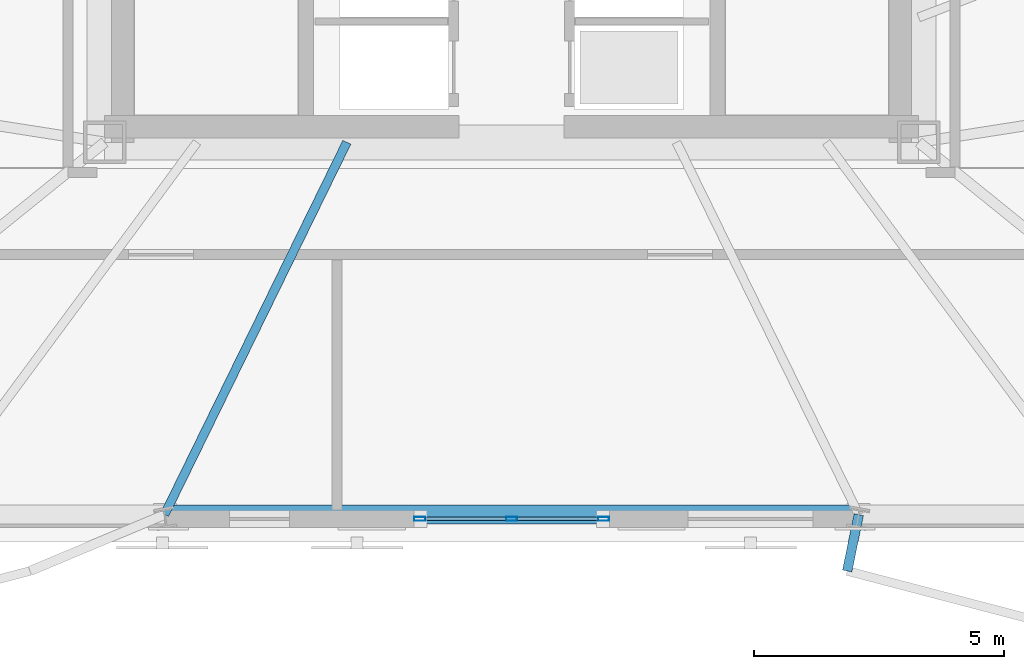
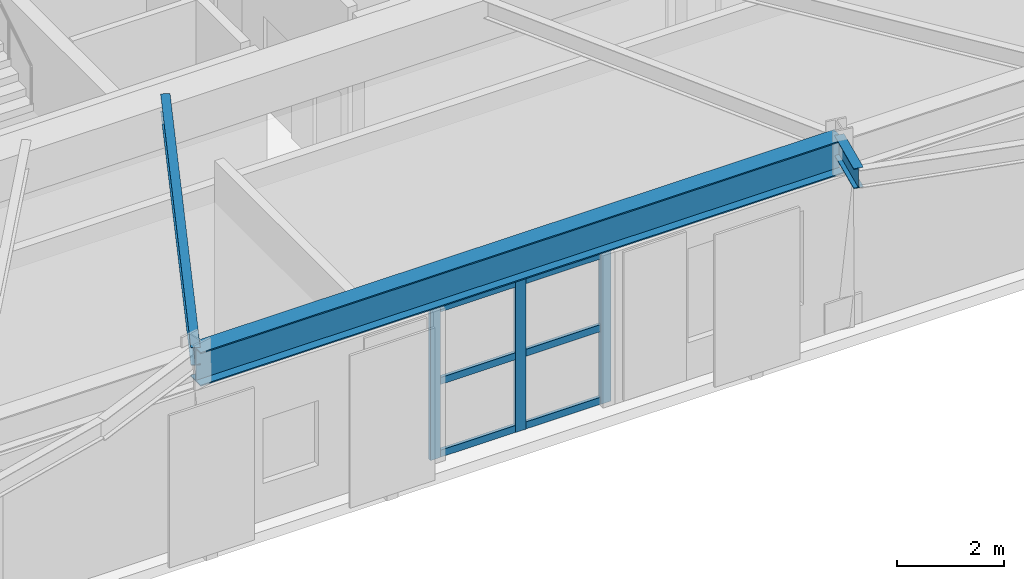
# One storey, part 2 of 14: 9 members, 3 beams, 1 element without a shape of its own.
"""IFC4 building model written with IfcOpenShell, lengths in metres."""

from ifc_helpers import new_model, si_unit, direction, frame, origin, origin_2d, place, context, subcontext, project, spatial, hollow_rectangle, i_section, extrude, material, layer, layer_set, material_profile, profile_set, type_object, element, aggregate, save


model = new_model("IFC4")

# Units and contexts
model_context = context("Model", 3, precision=1e-05, world=origin(), true_north=direction((0.0, 1.0)))
body_context = subcontext(model_context, "Body", "Model", "MODEL_VIEW")
ifc_project = project(units=[si_unit("LENGTHUNIT", "METRE"), si_unit("AREAUNIT", "SQUARE_METRE"), si_unit("VOLUMEUNIT", "CUBIC_METRE"), si_unit("PLANEANGLEUNIT", "RADIAN"), si_unit("MASSUNIT", "GRAM", prefix="KILO")], contexts=[model_context])

# Site, building, storey
site_placement = place(None, origin())
site = spatial("IfcSite", under=ifc_project, at=site_placement, CompositionType="ELEMENT")
building_placement = place(site_placement, origin())
building = spatial("IfcBuilding", under=site, at=building_placement, Name="Oramaril Tower", CompositionType="ELEMENT")
storey_placement = place(building_placement, frame((0.0, 0.0, 107.699951171875)))
storey = spatial("IfcBuildingStorey", under=building, at=storey_placement, Name="L28", CompositionType="ELEMENT", Elevation=107.699951171875)

# Beams
ifc_material_1 = material(Name="Steel ASTM A572 Gr 50", Category="steel")
ifc_material_profile_1 = material_profile(ifc_material_1, i_section(OverallWidth=0.19091796875, OverallDepth=0.45703125, WebThickness=0.009033203125, FlangeThickness=0.014404296875, at=origin_2d()), Name="W18X50")
ifc_profile_set_1 = profile_set([ifc_material_profile_1], Name="Steel ASTM A572 Gr 50")
beam_type_1 = type_object("IfcBeamType", Name="BT-BB1", PredefinedType="BEAM", material=ifc_profile_set_1)
beam_1_placement = place(storey_placement, frame((44.449951171875, 3.544677734375, 4.031494140625), z_axis=(-0.200803271191, -0.979631587016, 0.0), x_axis=(0.979631587016, -0.200803271191, 0.0)))
element("IfcBeam", 1, at=beam_1_placement, inside=storey, type_object=beam_type_1, Name="L28 Balcony Column-Framed Cantilever 02.1", PredefinedType="BEAM", context=body_context, shape_type="SweptSolid", body=[
    extrude(i_section(OverallWidth=0.19091796875, OverallDepth=0.45703125, WebThickness=0.009033203125, FlangeThickness=0.014404296875, at=origin_2d()), origin(), (0.0, 0.0, 1.0), 1.1513671875),
])
ifc_material_2 = material(Name="Steel ASTM A572 Gr 50", Category="steel")
ifc_material_profile_2 = material_profile(ifc_material_2, i_section(OverallWidth=0.177978515625, OverallDepth=0.404052734375, WebThickness=0.007568359375, FlangeThickness=0.010986328125, at=origin_2d()), Name="W16X36")
ifc_profile_set_2 = profile_set([ifc_material_profile_2], Name="Steel ASTM A572 Gr 50")
beam_type_2 = type_object("IfcBeamType", Name="BT-SB1", PredefinedType="BEAM", material=ifc_profile_set_2)
beam_2_placement = place(storey_placement, frame((34.199951171875, 11.0, 4.05810546875), z_axis=(-0.439703815255, -0.898142836552, 0.0), x_axis=(0.898142836552, -0.439703815255, 0.0)))
element("IfcBeam", 2, at=beam_2_placement, inside=storey, type_object=beam_type_2, Name="L28 Secondary Floor Beam SB-02", PredefinedType="BEAM", context=body_context, shape_type="SweptSolid", body=[
    extrude(i_section(OverallWidth=0.177978515625, OverallDepth=0.404052734375, WebThickness=0.007568359375, FlangeThickness=0.010986328125, at=origin_2d()), origin(), (0.0, 0.0, 1.0), 8.30078125),
])
ifc_material_3 = material(Name="Steel ASTM A572 Gr 50", Category="steel")
ifc_material_profile_3 = material_profile(ifc_material_3, i_section(OverallWidth=0.381103515625, OverallDepth=0.77197265625, WebThickness=0.0166015625, FlangeThickness=0.027099609375, at=origin_2d()), Name="W30X173")
ifc_profile_set_3 = profile_set([ifc_material_profile_3], Name="Steel ASTM A572 Gr 50")
beam_type_3 = type_object("IfcBeamType", Name="BT-SP2", PredefinedType="SPANDREL", material=ifc_profile_set_3)
beam_3_placement = place(storey_placement, frame((30.550048828125, 3.544677734375, 3.8740234375), z_axis=(1.0, 0.0, 0.0), x_axis=(0.0, 1.0, 0.0)))
element("IfcBeam", 3, at=beam_3_placement, inside=storey, type_object=beam_type_3, Name="L28 Perimeter Spandrel 04", PredefinedType="SPANDREL", context=body_context, shape_type="SweptSolid", body=[
    extrude(i_section(OverallWidth=0.381103515625, OverallDepth=0.77197265625, WebThickness=0.0166015625, FlangeThickness=0.027099609375, at=origin_2d()), origin(), (0.0, 0.0, 1.0), 13.89990234375),
])

# Curtain wall, members
ifc_material_4 = material(Name="Anodised Aluminium 6063-T6", Category="aluminium")
ifc_layer = layer(ifc_material_4, 0.219970703125)
ifc_layer_set = layer_set([ifc_layer], Name="CWT-SYS5")
curtain_wall_type = type_object("IfcCurtainWallType", Name="CWT-SYS5", PredefinedType="NOTDEFINED", material=ifc_layer_set)
curtain_wall_placement = place(storey_placement, origin())
curtain_wall = element("IfcCurtainWall", 4, at=curtain_wall_placement, inside=storey, type_object=curtain_wall_type, Name="L28 Unitised Curtain Wall CW-5", PredefinedType="NOTDEFINED")
ifc_material_5 = material(Name="Anodised Aluminium 6063-T6", Category="aluminium")
ifc_material_profile_4 = material_profile(ifc_material_5, hollow_rectangle(XDim=0.080078125, YDim=0.219970703125, WallThickness=0.00390625, at=origin_2d()), Name="CWM220X80")
ifc_profile_set_4 = profile_set([ifc_material_profile_4], Name="Anodised Aluminium 6063-T6")
member_type_1 = type_object("IfcMemberType", Name="MT-CWM1", PredefinedType="MULLION", material=ifc_profile_set_4)
member_1_placement = place(storey_placement, frame((35.659912109375, 3.45947265625, 0.0), z_axis=(0.0, 0.0, 1.0), x_axis=(0.0, 1.0, 0.0)))
member_1 = element("IfcMember", 5, at=member_1_placement, type_object=member_type_1, Name="CW-5 mullion 1", PredefinedType="MULLION", context=body_context, shape_type="SweptSolid", body=[
    extrude(hollow_rectangle(XDim=0.080078125, YDim=0.219970703125, WallThickness=0.00390625, at=origin_2d()), origin(), (0.0, 0.0, 1.0), 3.47802734375),
])
member_2_placement = place(storey_placement, frame((37.5, 3.45947265625, 0.0), z_axis=(0.0, 0.0, 1.0), x_axis=(0.0, 1.0, 0.0)))
member_2 = element("IfcMember", 6, at=member_2_placement, type_object=member_type_1, Name="CW-5 mullion 2", PredefinedType="MULLION", context=body_context, shape_type="SweptSolid", body=[
    extrude(hollow_rectangle(XDim=0.080078125, YDim=0.219970703125, WallThickness=0.00390625, at=origin_2d()), origin(), (0.0, 0.0, 1.0), 3.47802734375),
])
member_3_placement = place(storey_placement, frame((39.340087890625, 3.45947265625, 0.0), z_axis=(0.0, 0.0, 1.0), x_axis=(0.0, 1.0, 0.0)))
member_3 = element("IfcMember", 7, at=member_3_placement, type_object=member_type_1, Name="CW-5 mullion 3", PredefinedType="MULLION", context=body_context, shape_type="SweptSolid", body=[
    extrude(hollow_rectangle(XDim=0.080078125, YDim=0.219970703125, WallThickness=0.00390625, at=origin_2d()), origin(), (0.0, 0.0, 1.0), 3.47802734375),
])
ifc_material_6 = material(Name="Anodised Aluminium 6063-T6", Category="aluminium")
ifc_material_profile_5 = material_profile(ifc_material_6, hollow_rectangle(XDim=0.070068359375, YDim=0.159912109375, WallThickness=0.00390625, at=origin_2d()), Name="CWT160X70")
ifc_profile_set_5 = profile_set([ifc_material_profile_5], Name="Anodised Aluminium 6063-T6")
member_type_2 = type_object("IfcMemberType", Name="MT-CWT1", PredefinedType="USERDEFINED", material=ifc_profile_set_5)
member_4_placement = place(storey_placement, frame((35.77001953125, 3.45947265625, 0.080078125), z_axis=(1.0, 0.0, 0.0), x_axis=(0.0, 1.0, 0.0)))
member_4 = element("IfcMember", 8, at=member_4_placement, type_object=member_type_2, Name="CW-5 transom 1.1", ObjectType="TRANSOM", PredefinedType="USERDEFINED", context=body_context, shape_type="SweptSolid", body=[
    extrude(hollow_rectangle(XDim=0.070068359375, YDim=0.159912109375, WallThickness=0.00390625, at=origin_2d()), origin(), (0.0, 0.0, 1.0), 1.619873046875),
])
member_5_placement = place(storey_placement, frame((35.77001953125, 3.45947265625, 1.739013671875), z_axis=(1.0, 0.0, 0.0), x_axis=(0.0, 1.0, 0.0)))
member_5 = element("IfcMember", 9, at=member_5_placement, type_object=member_type_2, Name="CW-5 transom 1.2", ObjectType="TRANSOM", PredefinedType="USERDEFINED", context=body_context, shape_type="SweptSolid", body=[
    extrude(hollow_rectangle(XDim=0.070068359375, YDim=0.159912109375, WallThickness=0.00390625, at=origin_2d()), origin(), (0.0, 0.0, 1.0), 1.619873046875),
])
member_6_placement = place(storey_placement, frame((35.77001953125, 3.45947265625, 3.39794921875), z_axis=(1.0, 0.0, 0.0), x_axis=(0.0, 1.0, 0.0)))
member_6 = element("IfcMember", 10, at=member_6_placement, type_object=member_type_2, Name="CW-5 transom 1.3", ObjectType="TRANSOM", PredefinedType="USERDEFINED", context=body_context, shape_type="SweptSolid", body=[
    extrude(hollow_rectangle(XDim=0.070068359375, YDim=0.159912109375, WallThickness=0.00390625, at=origin_2d()), origin(), (0.0, 0.0, 1.0), 1.619873046875),
])
member_7_placement = place(storey_placement, frame((37.610107421875, 3.45947265625, 0.080078125), z_axis=(1.0, 0.0, 0.0), x_axis=(0.0, 1.0, 0.0)))
member_7 = element("IfcMember", 11, at=member_7_placement, type_object=member_type_2, Name="CW-5 transom 2.1", ObjectType="TRANSOM", PredefinedType="USERDEFINED", context=body_context, shape_type="SweptSolid", body=[
    extrude(hollow_rectangle(XDim=0.070068359375, YDim=0.159912109375, WallThickness=0.00390625, at=origin_2d()), origin(), (0.0, 0.0, 1.0), 1.619873046875),
])
member_8_placement = place(storey_placement, frame((37.610107421875, 3.45947265625, 1.739013671875), z_axis=(1.0, 0.0, 0.0), x_axis=(0.0, 1.0, 0.0)))
member_8 = element("IfcMember", 12, at=member_8_placement, type_object=member_type_2, Name="CW-5 transom 2.2", ObjectType="TRANSOM", PredefinedType="USERDEFINED", context=body_context, shape_type="SweptSolid", body=[
    extrude(hollow_rectangle(XDim=0.070068359375, YDim=0.159912109375, WallThickness=0.00390625, at=origin_2d()), origin(), (0.0, 0.0, 1.0), 1.619873046875),
])
member_9_placement = place(storey_placement, frame((37.610107421875, 3.45947265625, 3.39794921875), z_axis=(1.0, 0.0, 0.0), x_axis=(0.0, 1.0, 0.0)))
member_9 = element("IfcMember", 13, at=member_9_placement, type_object=member_type_2, Name="CW-5 transom 2.3", ObjectType="TRANSOM", PredefinedType="USERDEFINED", context=body_context, shape_type="SweptSolid", body=[
    extrude(hollow_rectangle(XDim=0.070068359375, YDim=0.159912109375, WallThickness=0.00390625, at=origin_2d()), origin(), (0.0, 0.0, 1.0), 1.619873046875),
])
aggregate(curtain_wall, [member_1, member_2, member_3, member_4, member_5, member_6, member_7, member_8, member_9])

save(model, "model.ifc")
